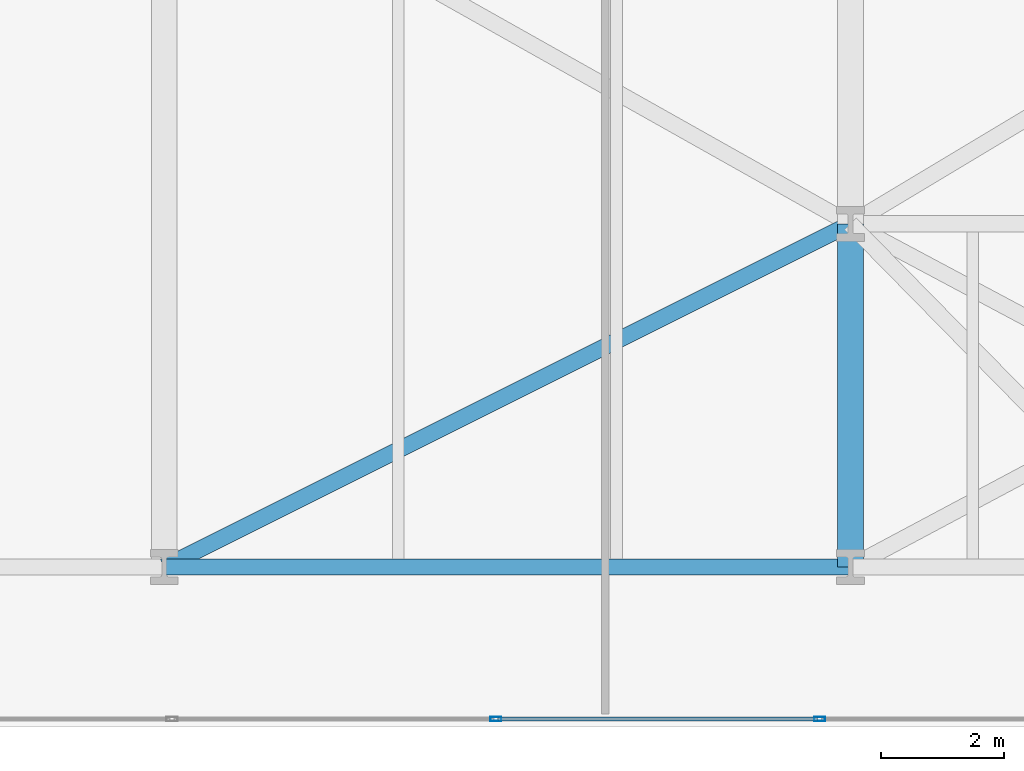
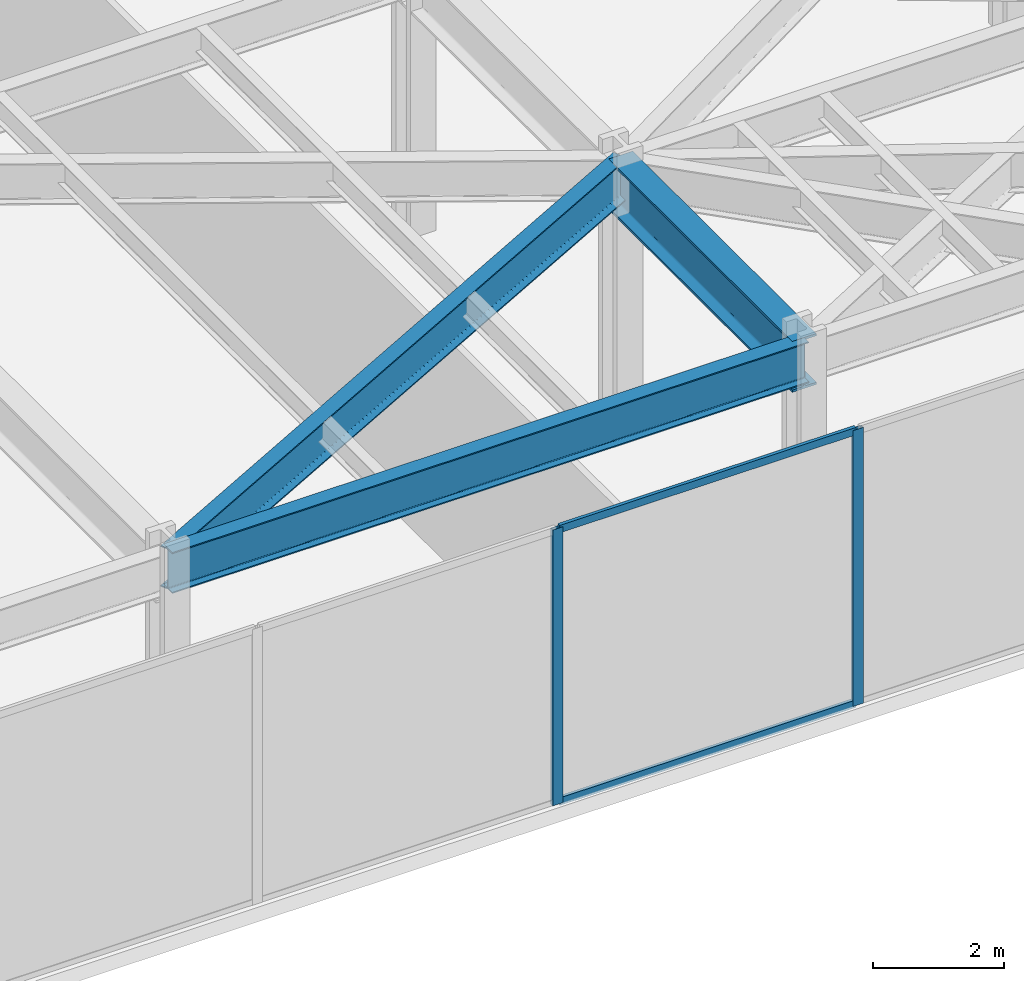
# One storey, part 16 of 29: 4 members, 3 beams, 1 element without a shape of its own.
"""IFC4 building model written with IfcOpenShell, lengths in metres."""

from ifc_helpers import new_model, si_unit, direction, frame, origin, origin_2d, place, context, subcontext, project, spatial, hollow_rectangle, i_section, extrude, material, layer, layer_set, material_profile, profile_set, type_object, element, aggregate, save


model = new_model("IFC4")

# Units and contexts
model_context = context("Model", 3, precision=1e-05, world=origin(), true_north=direction((0.0, 1.0)))
body_context = subcontext(model_context, "Body", "Model", "MODEL_VIEW")
ifc_project = project(units=[si_unit("LENGTHUNIT", "METRE"), si_unit("AREAUNIT", "SQUARE_METRE"), si_unit("VOLUMEUNIT", "CUBIC_METRE"), si_unit("PLANEANGLEUNIT", "RADIAN"), si_unit("MASSUNIT", "GRAM", prefix="KILO")], contexts=[model_context])

# Site, building, storey
site_placement = place(None, origin())
site = spatial("IfcSite", under=ifc_project, at=site_placement, CompositionType="ELEMENT")
building_placement = place(site_placement, origin())
building = spatial("IfcBuilding", under=site, at=building_placement, Name="Kravanh Interchange Tower", CompositionType="ELEMENT")
storey_placement = place(building_placement, frame((0.0, 0.0, 5.39990234375)))
storey = spatial("IfcBuildingStorey", under=building, at=storey_placement, Name="L01", CompositionType="ELEMENT", Elevation=5.39990234375)

# Curtain wall, members
ifc_material_1 = material(Name="Anodised Bronze Aluminium", Category="aluminium")
ifc_layer = layer(ifc_material_1, 0.179931640625)
ifc_layer_set = layer_set([ifc_layer], Name="Unitised Curtain Wall System CW-POD Podium Concourse")
curtain_wall_type = type_object("IfcCurtainWallType", Name="Unitised Curtain Wall System CW-POD Podium Concourse", PredefinedType="NOTDEFINED", material=ifc_layer_set)
curtain_wall_placement = place(storey_placement, origin())
curtain_wall = element("IfcCurtainWall", 1, at=curtain_wall_placement, inside=storey, type_object=curtain_wall_type, Name="L01 Unitised Curtain Wall CW-L01-04", PredefinedType="NOTDEFINED")
ifc_material_2 = material(Name="Anodised Bronze Aluminium", Category="aluminium")
ifc_material_profile_1 = material_profile(ifc_material_2, hollow_rectangle(XDim=0.070068359375, YDim=0.179931640625, WallThickness=0.00390625, at=origin_2d()), Name="ALU70X180X4")
ifc_profile_set_1 = profile_set([ifc_material_profile_1], Name="Anodised Bronze Aluminium")
member_type_1 = type_object("IfcMemberType", Name="Curtain Wall Mullion ALU70X180X4 Bronze", PredefinedType="MULLION", material=ifc_profile_set_1)
member_1_placement = place(storey_placement, frame((55.496337890625, 0.1201171875, 0.0), z_axis=(0.0, 0.0, 1.0), x_axis=(0.0, -1.0, 0.0)))
member_1 = element("IfcMember", 2, at=member_1_placement, type_object=member_type_1, Name="CW-POD mullion 4", PredefinedType="MULLION", context=body_context, shape_type="SweptSolid", body=[
    extrude(hollow_rectangle(XDim=0.070068359375, YDim=0.179931640625, WallThickness=0.00390625, at=origin_2d()), origin(), (0.0, 0.0, 1.0), 5.130126953125),
])
member_2_placement = place(storey_placement, frame((50.211669921875, 0.1201171875, 0.0), z_axis=(0.0, 0.0, 1.0), x_axis=(0.0, -1.0, 0.0)))
member_2 = element("IfcMember", 3, at=member_2_placement, type_object=member_type_1, Name="CW-POD mullion 5", PredefinedType="MULLION", context=body_context, shape_type="SweptSolid", body=[
    extrude(hollow_rectangle(XDim=0.070068359375, YDim=0.179931640625, WallThickness=0.00390625, at=origin_2d()), origin(), (0.0, 0.0, 1.0), 5.130126953125),
])
ifc_material_3 = material(Name="Anodised Bronze Aluminium", Category="aluminium")
ifc_material_profile_2 = material_profile(ifc_material_3, hollow_rectangle(XDim=0.06005859375, YDim=0.139892578125, WallThickness=0.00390625, at=origin_2d()), Name="ALU60X140X4")
ifc_profile_set_2 = profile_set([ifc_material_profile_2], Name="Anodised Bronze Aluminium")
member_type_2 = type_object("IfcMemberType", Name="Curtain Wall Transom ALU60X140X4 Bronze", PredefinedType="USERDEFINED", material=ifc_profile_set_2)
member_3_placement = place(storey_placement, frame((55.46142578125, 0.1201171875, 0.030029296875), z_axis=(-1.0, 0.0, 0.0), x_axis=(0.0, -1.0, 0.0)))
member_3 = element("IfcMember", 4, at=member_3_placement, type_object=member_type_2, Name="CW-POD transom 4.1", ObjectType="TRANSOM", PredefinedType="USERDEFINED", context=body_context, shape_type="SweptSolid", body=[
    extrude(hollow_rectangle(XDim=0.06005859375, YDim=0.139892578125, WallThickness=0.00390625, at=origin_2d()), origin(), (0.0, 0.0, 1.0), 5.21484375),
])
member_4_placement = place(storey_placement, frame((55.46142578125, 0.1201171875, 5.10009765625), z_axis=(-1.0, 0.0, 0.0), x_axis=(0.0, -1.0, 0.0)))
member_4 = element("IfcMember", 5, at=member_4_placement, type_object=member_type_2, Name="CW-POD transom 4.2", ObjectType="TRANSOM", PredefinedType="USERDEFINED", context=body_context, shape_type="SweptSolid", body=[
    extrude(hollow_rectangle(XDim=0.06005859375, YDim=0.139892578125, WallThickness=0.00390625, at=origin_2d()), origin(), (0.0, 0.0, 1.0), 5.21484375),
])
aggregate(curtain_wall, [member_1, member_2, member_3, member_4])

# Beams
ifc_material_4 = material(Name="Structural Steel S450", Category="steel")
ifc_material_profile_3 = material_profile(ifc_material_4, i_section(OverallWidth=0.423095703125, OverallDepth=0.947998046875, WebThickness=0.02392578125, FlangeThickness=0.042724609375, FilletRadius=0.028076171875, at=origin_2d()), Name="W36X302")
ifc_profile_set_3 = profile_set([ifc_material_profile_3], Name="Structural Steel S450")
beam_type_1 = type_object("IfcBeamType", Name="Floor Beam W36X302 Structural Steel S450", PredefinedType="BEAM", material=ifc_profile_set_3)
beam_1_placement = place(storey_placement, frame((56.0, 2.60009765625, 4.656005859375), z_axis=(0.0, 1.0, 0.0), x_axis=(-1.0, 0.0, 0.0)))
element("IfcBeam", 6, at=beam_1_placement, inside=storey, type_object=beam_type_1, Name="L01 Primary Floor Girder 14", PredefinedType="BEAM", context=body_context, shape_type="SweptSolid", body=[
    extrude(i_section(OverallWidth=0.423095703125, OverallDepth=0.947998046875, WebThickness=0.02392578125, FlangeThickness=0.042724609375, FilletRadius=0.028076171875, at=origin_2d()), origin(), (0.0, 0.0, 1.0), 5.599853515625),
])
ifc_material_5 = material(Name="Structural Steel S355", Category="steel")
ifc_material_profile_4 = material_profile(ifc_material_5, i_section(OverallWidth=0.26708984375, OverallDepth=0.761962890625, WebThickness=0.014404296875, FlangeThickness=0.021484375, FilletRadius=0.02490234375, at=origin_2d()), Name="W30X116")
ifc_profile_set_4 = profile_set([ifc_material_profile_4], Name="Structural Steel S355")
beam_type_2 = type_object("IfcBeamType", Name="Floor Spandrel W30X116 Structural Steel S355", PredefinedType="SPANDREL", material=ifc_profile_set_4)
beam_2_placement = place(storey_placement, frame((44.800048828125, 2.60009765625, 4.7490234375), z_axis=(1.0, 0.0, 0.0), x_axis=(0.0, 1.0, 0.0)))
element("IfcBeam", 7, at=beam_2_placement, inside=storey, type_object=beam_type_2, Name="L01 Perimeter Spandrel 10", PredefinedType="SPANDREL", context=body_context, shape_type="SweptSolid", body=[
    extrude(i_section(OverallWidth=0.26708984375, OverallDepth=0.761962890625, WebThickness=0.014404296875, FlangeThickness=0.021484375, FilletRadius=0.02490234375, at=origin_2d()), origin(), (0.0, 0.0, 1.0), 11.199951171875),
])
beam_3_placement = place(storey_placement, frame((44.800048828125, 2.60009765625, 4.7490234375), z_axis=(0.894431090393, 0.447205796629, 0.0), x_axis=(-0.447205796629, 0.894431090393, 0.0)))
element("IfcBeam", 8, at=beam_3_placement, inside=storey, type_object=beam_type_2, Name="L01 Perimeter Spandrel 12", PredefinedType="SPANDREL", context=body_context, shape_type="SweptSolid", body=[
    extrude(i_section(OverallWidth=0.26708984375, OverallDepth=0.761962890625, WebThickness=0.014404296875, FlangeThickness=0.021484375, FilletRadius=0.02490234375, at=origin_2d()), origin(), (0.0, 0.0, 1.0), 12.52197265625),
])

save(model, "model.ifc")
